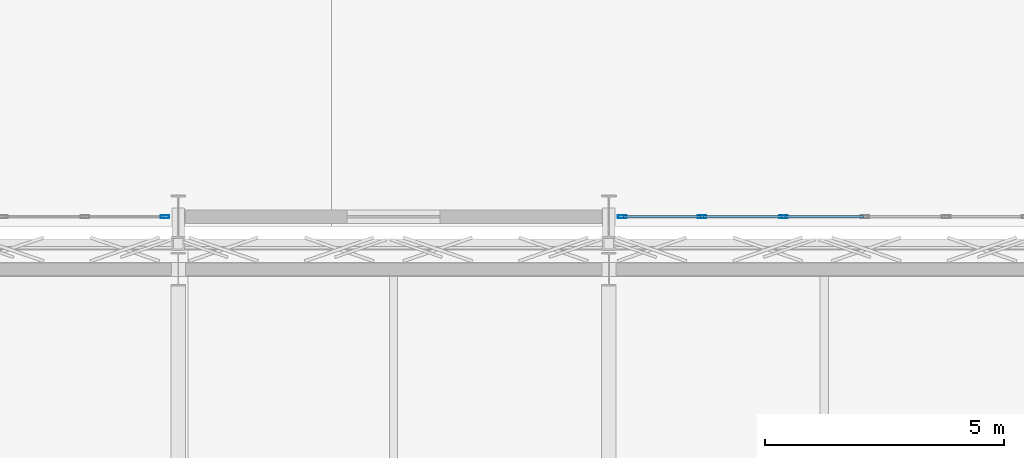
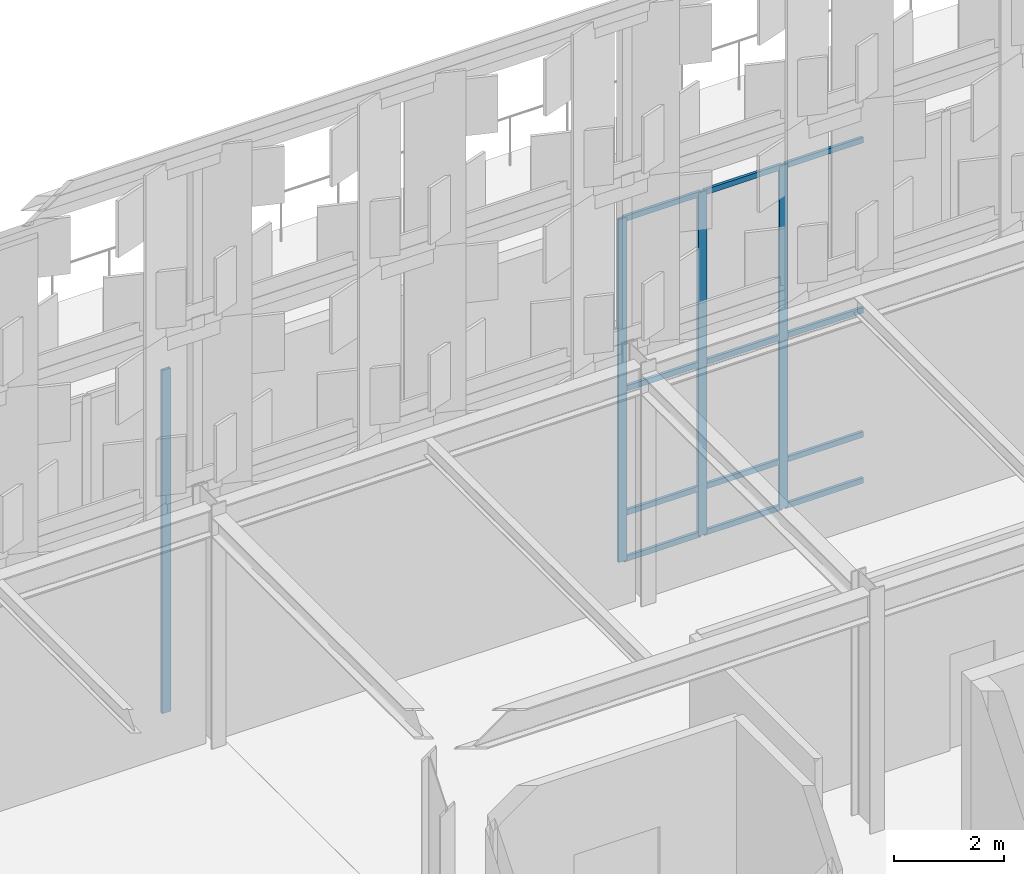
# One storey, part 69 of 210: 16 members, 2 elements without a shape of their own.
"""IFC4 building model written with IfcOpenShell, lengths in metres."""

from ifc_helpers import new_model, si_unit, direction, frame, origin, origin_2d, place, context, subcontext, project, spatial, hollow_rectangle, extrude, material, material_profile, profile_set, type_object, element, aggregate, save


model = new_model("IFC4")

# Units and contexts
model_context = context("Model", 3, precision=1e-05, world=origin(), true_north=direction((0.0, 1.0)))
body_context = subcontext(model_context, "Body", "Model", "MODEL_VIEW")
ifc_project = project(units=[si_unit("LENGTHUNIT", "METRE"), si_unit("AREAUNIT", "SQUARE_METRE"), si_unit("VOLUMEUNIT", "CUBIC_METRE"), si_unit("PLANEANGLEUNIT", "RADIAN"), si_unit("MASSUNIT", "GRAM", prefix="KILO")], contexts=[model_context])

# Site, building, storey
site_placement = place(None, origin())
site = spatial("IfcSite", under=ifc_project, at=site_placement, CompositionType="ELEMENT")
building_placement = place(site_placement, origin())
building = spatial("IfcBuilding", under=site, at=building_placement, Name="Kaldris Quays Convention Centre", CompositionType="ELEMENT")
storey_placement = place(building_placement, frame((0.0, 0.0, 6.0)))
storey = spatial("IfcBuildingStorey", under=building, at=storey_placement, Name="L01", CompositionType="ELEMENT", Elevation=6.0)

# Curtain wall, member
ifc_material_1 = material(Name="Anodized aluminium AW-6060 and triple glazing", Category="aluminium")
curtain_wall_type = type_object("IfcCurtainWallType", Name="UNITISED CURTAIN WALL CW03", PredefinedType="NOTDEFINED", material=ifc_material_1)
curtain_wall_1_placement = place(storey_placement, origin())
curtain_wall_1 = element("IfcCurtainWall", 1, at=curtain_wall_1_placement, inside=storey, type_object=curtain_wall_type, Name="L01 Unitised Curtain Wall CW03 9", PredefinedType="NOTDEFINED")
ifc_material_2 = material(Name="Anodized aluminium AW-6060", Category="aluminium")
ifc_material_profile_1 = material_profile(ifc_material_2, hollow_rectangle(XDim=0.06005859375, YDim=0.179931640625, WallThickness=0.0048828125, at=origin_2d()), Name="RHS 180x60x5")
ifc_profile_set_1 = profile_set([ifc_material_profile_1], Name="Anodized aluminium AW-6060")
member_type_1 = type_object("IfcMemberType", Name="CURTAIN MULLION CWM2", PredefinedType="MULLION", material=ifc_profile_set_1)
member_1_placement = place(storey_placement, frame((100.719970703125, 56.0, 0.0), z_axis=(0.0, 0.0, 1.0), x_axis=(0.0, 1.0, 0.0)))
member_1 = element("IfcMember", 2, at=member_1_placement, type_object=member_type_1, Name="CW03 mullion 6", PredefinedType="MULLION", context=body_context, shape_type="SweptSolid", body=[
    extrude(hollow_rectangle(XDim=0.06005859375, YDim=0.179931640625, WallThickness=0.0048828125, at=origin_2d()), origin(), (0.0, 0.0, 1.0), 7.60009765625),
])
aggregate(curtain_wall_1, [member_1])

# Curtain wall, members
curtain_wall_2_placement = place(storey_placement, origin())
curtain_wall_2 = element("IfcCurtainWall", 3, at=curtain_wall_2_placement, inside=storey, type_object=curtain_wall_type, Name="L01 Unitised Curtain Wall CW03 11", PredefinedType="NOTDEFINED")
member_2_placement = place(storey_placement, frame((110.280029296875, 56.0, 0.0), z_axis=(0.0, 0.0, 1.0), x_axis=(0.0, 1.0, 0.0)))
member_2 = element("IfcMember", 4, at=member_2_placement, type_object=member_type_1, Name="CW03 mullion 1", PredefinedType="MULLION", context=body_context, shape_type="SweptSolid", body=[
    extrude(hollow_rectangle(XDim=0.06005859375, YDim=0.179931640625, WallThickness=0.0048828125, at=origin_2d()), origin(), (0.0, 0.0, 1.0), 7.60009765625),
])
member_3_placement = place(storey_placement, frame((111.949951171875, 56.0, 0.0), z_axis=(0.0, 0.0, 1.0), x_axis=(0.0, 1.0, 0.0)))
member_3 = element("IfcMember", 5, at=member_3_placement, type_object=member_type_1, Name="CW03 mullion 2", PredefinedType="MULLION", context=body_context, shape_type="SweptSolid", body=[
    extrude(hollow_rectangle(XDim=0.06005859375, YDim=0.179931640625, WallThickness=0.0048828125, at=origin_2d()), origin(), (0.0, 0.0, 1.0), 7.60009765625),
])
member_4_placement = place(storey_placement, frame((113.64990234375, 56.0, 0.0), z_axis=(0.0, 0.0, 1.0), x_axis=(0.0, 1.0, 0.0)))
member_4 = element("IfcMember", 6, at=member_4_placement, type_object=member_type_1, Name="CW03 mullion 3", PredefinedType="MULLION", context=body_context, shape_type="SweptSolid", body=[
    extrude(hollow_rectangle(XDim=0.06005859375, YDim=0.179931640625, WallThickness=0.0048828125, at=origin_2d()), origin(), (0.0, 0.0, 1.0), 7.60009765625),
])
ifc_material_profile_2 = material_profile(ifc_material_2, hollow_rectangle(XDim=0.06005859375, YDim=0.1201171875, WallThickness=0.00390625, at=origin_2d()), Name="RHS 120x60x4")
ifc_profile_set_2 = profile_set([ifc_material_profile_2], Name="Anodized aluminium AW-6060")
member_type_2 = type_object("IfcMemberType", Name="CURTAIN TRANSOM CWT1", PredefinedType="USERDEFINED", material=ifc_profile_set_2)
member_5_placement = place(storey_placement, frame((110.31005859375, 56.0, 0.030029296875), z_axis=(1.0, 0.0, 0.0), x_axis=(0.0, 1.0, 0.0)))
member_5 = element("IfcMember", 7, at=member_5_placement, type_object=member_type_2, Name="CW03 transom 1.1", ObjectType="TRANSOM", PredefinedType="USERDEFINED", context=body_context, shape_type="SweptSolid", body=[
    extrude(hollow_rectangle(XDim=0.06005859375, YDim=0.1201171875, WallThickness=0.00390625, at=origin_2d()), origin(), (0.0, 0.0, 1.0), 1.60986328125),
])
member_6_placement = place(storey_placement, frame((110.31005859375, 56.0, 1.050048828125), z_axis=(1.0, 0.0, 0.0), x_axis=(0.0, 1.0, 0.0)))
member_6 = element("IfcMember", 8, at=member_6_placement, type_object=member_type_2, Name="CW03 transom 1.2", ObjectType="TRANSOM", PredefinedType="USERDEFINED", context=body_context, shape_type="SweptSolid", body=[
    extrude(hollow_rectangle(XDim=0.06005859375, YDim=0.1201171875, WallThickness=0.00390625, at=origin_2d()), origin(), (0.0, 0.0, 1.0), 1.60986328125),
])
member_7_placement = place(storey_placement, frame((110.31005859375, 56.0, 3.800048828125), z_axis=(1.0, 0.0, 0.0), x_axis=(0.0, 1.0, 0.0)))
member_7 = element("IfcMember", 9, at=member_7_placement, type_object=member_type_2, Name="CW03 transom 1.3", ObjectType="TRANSOM", PredefinedType="USERDEFINED", context=body_context, shape_type="SweptSolid", body=[
    extrude(hollow_rectangle(XDim=0.06005859375, YDim=0.1201171875, WallThickness=0.00390625, at=origin_2d()), origin(), (0.0, 0.0, 1.0), 1.60986328125),
])
member_8_placement = place(storey_placement, frame((110.31005859375, 56.0, 7.570068359375), z_axis=(1.0, 0.0, 0.0), x_axis=(0.0, 1.0, 0.0)))
member_8 = element("IfcMember", 10, at=member_8_placement, type_object=member_type_2, Name="CW03 transom 1.4", ObjectType="TRANSOM", PredefinedType="USERDEFINED", context=body_context, shape_type="SweptSolid", body=[
    extrude(hollow_rectangle(XDim=0.06005859375, YDim=0.1201171875, WallThickness=0.00390625, at=origin_2d()), origin(), (0.0, 0.0, 1.0), 1.60986328125),
])
member_9_placement = place(storey_placement, frame((111.97998046875, 56.0, 0.030029296875), z_axis=(1.0, 0.0, 0.0), x_axis=(0.0, 1.0, 0.0)))
member_9 = element("IfcMember", 11, at=member_9_placement, type_object=member_type_2, Name="CW03 transom 2.1", ObjectType="TRANSOM", PredefinedType="USERDEFINED", context=body_context, shape_type="SweptSolid", body=[
    extrude(hollow_rectangle(XDim=0.06005859375, YDim=0.1201171875, WallThickness=0.00390625, at=origin_2d()), origin(), (0.0, 0.0, 1.0), 1.64013671875),
])
member_10_placement = place(storey_placement, frame((111.97998046875, 56.0, 1.050048828125), z_axis=(1.0, 0.0, 0.0), x_axis=(0.0, 1.0, 0.0)))
member_10 = element("IfcMember", 12, at=member_10_placement, type_object=member_type_2, Name="CW03 transom 2.2", ObjectType="TRANSOM", PredefinedType="USERDEFINED", context=body_context, shape_type="SweptSolid", body=[
    extrude(hollow_rectangle(XDim=0.06005859375, YDim=0.1201171875, WallThickness=0.00390625, at=origin_2d()), origin(), (0.0, 0.0, 1.0), 1.64013671875),
])
member_11_placement = place(storey_placement, frame((111.97998046875, 56.0, 3.800048828125), z_axis=(1.0, 0.0, 0.0), x_axis=(0.0, 1.0, 0.0)))
member_11 = element("IfcMember", 13, at=member_11_placement, type_object=member_type_2, Name="CW03 transom 2.3", ObjectType="TRANSOM", PredefinedType="USERDEFINED", context=body_context, shape_type="SweptSolid", body=[
    extrude(hollow_rectangle(XDim=0.06005859375, YDim=0.1201171875, WallThickness=0.00390625, at=origin_2d()), origin(), (0.0, 0.0, 1.0), 1.64013671875),
])
member_12_placement = place(storey_placement, frame((111.97998046875, 56.0, 7.570068359375), z_axis=(1.0, 0.0, 0.0), x_axis=(0.0, 1.0, 0.0)))
member_12 = element("IfcMember", 14, at=member_12_placement, type_object=member_type_2, Name="CW03 transom 2.4", ObjectType="TRANSOM", PredefinedType="USERDEFINED", context=body_context, shape_type="SweptSolid", body=[
    extrude(hollow_rectangle(XDim=0.06005859375, YDim=0.1201171875, WallThickness=0.00390625, at=origin_2d()), origin(), (0.0, 0.0, 1.0), 1.64013671875),
])
member_13_placement = place(storey_placement, frame((113.679931640625, 56.0, 0.030029296875), z_axis=(1.0, 0.0, 0.0), x_axis=(0.0, 1.0, 0.0)))
member_13 = element("IfcMember", 15, at=member_13_placement, type_object=member_type_2, Name="CW03 transom 3.1", ObjectType="TRANSOM", PredefinedType="USERDEFINED", context=body_context, shape_type="SweptSolid", body=[
    extrude(hollow_rectangle(XDim=0.06005859375, YDim=0.1201171875, WallThickness=0.00390625, at=origin_2d()), origin(), (0.0, 0.0, 1.0), 1.64013671875),
])
member_14_placement = place(storey_placement, frame((113.679931640625, 56.0, 1.050048828125), z_axis=(1.0, 0.0, 0.0), x_axis=(0.0, 1.0, 0.0)))
member_14 = element("IfcMember", 16, at=member_14_placement, type_object=member_type_2, Name="CW03 transom 3.2", ObjectType="TRANSOM", PredefinedType="USERDEFINED", context=body_context, shape_type="SweptSolid", body=[
    extrude(hollow_rectangle(XDim=0.06005859375, YDim=0.1201171875, WallThickness=0.00390625, at=origin_2d()), origin(), (0.0, 0.0, 1.0), 1.64013671875),
])
member_15_placement = place(storey_placement, frame((113.679931640625, 56.0, 3.800048828125), z_axis=(1.0, 0.0, 0.0), x_axis=(0.0, 1.0, 0.0)))
member_15 = element("IfcMember", 17, at=member_15_placement, type_object=member_type_2, Name="CW03 transom 3.3", ObjectType="TRANSOM", PredefinedType="USERDEFINED", context=body_context, shape_type="SweptSolid", body=[
    extrude(hollow_rectangle(XDim=0.06005859375, YDim=0.1201171875, WallThickness=0.00390625, at=origin_2d()), origin(), (0.0, 0.0, 1.0), 1.64013671875),
])
member_16_placement = place(storey_placement, frame((113.679931640625, 56.0, 7.570068359375), z_axis=(1.0, 0.0, 0.0), x_axis=(0.0, 1.0, 0.0)))
member_16 = element("IfcMember", 18, at=member_16_placement, type_object=member_type_2, Name="CW03 transom 3.4", ObjectType="TRANSOM", PredefinedType="USERDEFINED", context=body_context, shape_type="SweptSolid", body=[
    extrude(hollow_rectangle(XDim=0.06005859375, YDim=0.1201171875, WallThickness=0.00390625, at=origin_2d()), origin(), (0.0, 0.0, 1.0), 1.64013671875),
])
aggregate(curtain_wall_2, [member_2, member_3, member_4, member_5, member_6, member_7, member_8, member_9, member_10, member_11, member_12, member_13, member_14, member_15, member_16])

save(model, "model.ifc")
